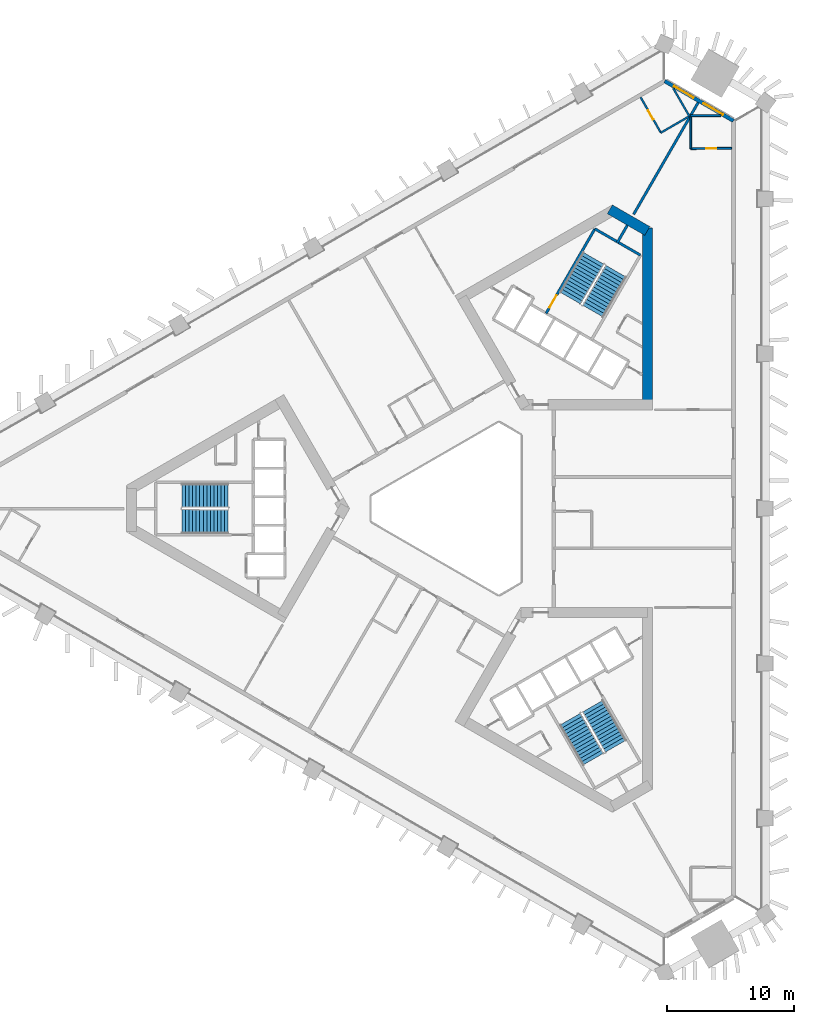
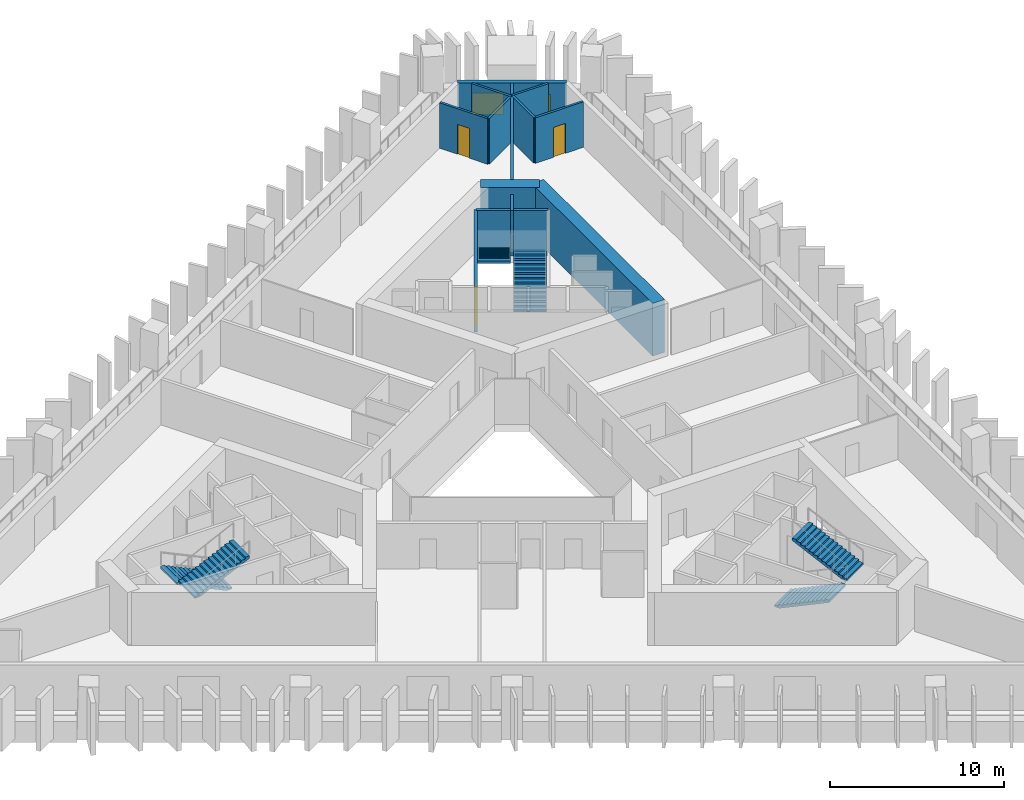
# One storey, part 6 of 10: 13 walls, 6 stair flights, 3 doors, 2 windows, 5 openings, 3 elements without a shape of their own.
"""IFC4 building model written with IfcOpenShell, lengths in metres."""

import ifcopenshell
import ifcopenshell.guid

model = None  # the IFC model being written
_history = None  # IfcOwnerHistory: only IFC2X3 demands one
_inside = {}  # id of a spatial element -> (the spatial element, [elements in it])
_under = {}  # id of a project, library or spatial element -> (it, [spatial elements below it])
_declared = {}  # id of a project -> (the project, [libraries it declares])
_typed = {}  # id of a type object -> (the type object, [elements of that type])
_made_of = {}  # id of a material, layer set ... -> (it, [elements and type objects made of it])


def new_model(schema):
    """Start an empty IFC model of exactly this schema.

    Asked for "IFC4X3", IfcOpenShell would pick the latest addendum, in which some entities
    have other attributes; the version numbers below select the first issue.
    IFC2X3 requires an IfcOwnerHistory on every rooted entity: one is made here for all.
    """
    global model, _history
    if schema == "IFC4X3":
        model = ifcopenshell.file(schema_version=(4, 3, 0, 0))
    else:
        model = ifcopenshell.file(schema=schema)
    _inside.clear()
    _under.clear()
    _declared.clear()
    _typed.clear()
    _made_of.clear()
    _history = None
    if model.schema == "IFC2X3":
        org = make("IfcOrganization", Name="unknown")
        user = make(
            "IfcPersonAndOrganization",
            ThePerson=make("IfcPerson", FamilyName="unknown"),
            TheOrganization=org,
        )
        app = make(
            "IfcApplication",
            ApplicationDeveloper=org,
            Version="unknown",
            ApplicationFullName="unknown",
            ApplicationIdentifier="unknown",
        )
        _history = make(
            "IfcOwnerHistory",
            OwningUser=user,
            OwningApplication=app,
            ChangeAction="ADDED",
            CreationDate=0,
        )
    return model


def make(cls, **values):
    """One entity of the class cls with the attributes given. An attribute that is None is left unset."""
    return model.create_entity(
        cls, **{name: value for name, value in values.items() if value is not None}
    )


def rooted(cls, **values):
    """An entity with a GlobalId (a new one), such as an element, a storey or a relation."""
    return make(cls, GlobalId=ifcopenshell.guid.new(), OwnerHistory=_history, **values)


def si_unit(unit_type, name, prefix=None):
    """IfcSIUnit, for example si_unit("LENGTHUNIT", "METRE", prefix="MILLI")."""
    return make("IfcSIUnit", UnitType=unit_type, Prefix=prefix, Name=name)


def assignment(units):
    """IfcUnitAssignment: the units of a project."""
    return None if units is None else make("IfcUnitAssignment", Units=units)


def point(xyz):
    """IfcCartesianPoint."""
    return None if xyz is None else make("IfcCartesianPoint", Coordinates=xyz)


def direction(xyz):
    """IfcDirection."""
    return None if xyz is None else make("IfcDirection", DirectionRatios=xyz)


def frame(location, z_axis=None, x_axis=None):
    """IfcAxis2Placement3D, a coordinate frame: its origin and axes. An axis left out is left unset."""
    return make(
        "IfcAxis2Placement3D",
        Location=point(location),
        Axis=direction(z_axis),
        RefDirection=direction(x_axis),
    )


def frame_2d(location, x_axis=None):
    """IfcAxis2Placement2D, a coordinate frame in the plane: its origin and x axis."""
    return make(
        "IfcAxis2Placement2D", Location=point(location), RefDirection=direction(x_axis)
    )


def origin():
    """The frame at (0, 0, 0) with its axes left unset."""
    return frame((0.0, 0.0, 0.0))


def place(relative_to, where):
    """IfcLocalPlacement: puts the frame where relative to a parent placement (None: the world)."""
    return make(
        "IfcLocalPlacement", PlacementRelTo=relative_to, RelativePlacement=where
    )


def context(
    kind, dimensions, precision=None, world=None, true_north=None, identifier=None
):
    """IfcGeometricRepresentationContext, for example the 3D "Model" context."""
    return make(
        "IfcGeometricRepresentationContext",
        ContextIdentifier=identifier,
        ContextType=kind,
        CoordinateSpaceDimension=dimensions,
        Precision=precision,
        WorldCoordinateSystem=world,
        TrueNorth=true_north,
    )


def subcontext(parent, identifier, kind, view, scale=None):
    """IfcGeometricRepresentationSubContext, for example "Body" below "Model"."""
    return make(
        "IfcGeometricRepresentationSubContext",
        ContextIdentifier=identifier,
        ContextType=kind,
        ParentContext=parent,
        TargetScale=scale,
        TargetView=view,
    )


def project(units=None, contexts=None):
    """IfcProject with its units and contexts."""
    return rooted(
        "IfcProject",
        Name="project",
        RepresentationContexts=contexts,
        UnitsInContext=assignment(units),
    )


def spatial(cls, under=None, at=None, **own):
    """A site, building, storey or space (cls), placed at a placement, below another one or the project."""
    s = rooted(cls, ObjectPlacement=at, **own)
    if under is not None:
        _under.setdefault(under.id(), (under, []))[1].append(s)
    return s


def polyline(points):
    """IfcPolyline through the points."""
    return make("IfcPolyline", Points=[point(p) for p in points])


def profile(cls, at=None, kind="AREA", **sizes):
    """A parametric profile (cls). Its sizes go by their IFC names, for example OverallWidth=200.0."""
    return make(cls, ProfileType=kind, Position=at, **sizes)


def rectangle(**sizes):
    """IfcRectangleProfileDef."""
    return profile("IfcRectangleProfileDef", **sizes)


def outline(outer, holes=None, kind="AREA"):
    """IfcArbitraryClosedProfileDef: a profile drawn as a closed curve; with holes, ...WithVoids."""
    if holes is None:
        return make("IfcArbitraryClosedProfileDef", ProfileType=kind, OuterCurve=outer)
    return make(
        "IfcArbitraryProfileDefWithVoids",
        ProfileType=kind,
        OuterCurve=outer,
        InnerCurves=holes,
    )


def extrude(swept, where, along, depth):
    """IfcExtrudedAreaSolid: the profile swept, set in the frame where, extruded along a direction by depth."""
    return make(
        "IfcExtrudedAreaSolid",
        SweptArea=swept,
        Position=where,
        ExtrudedDirection=direction(along),
        Depth=depth,
    )


def shape(context_of_items, identifier, shape_type, items):
    """IfcShapeRepresentation: the items that make up one representation, for example the "Body"."""
    return make(
        "IfcShapeRepresentation",
        ContextOfItems=context_of_items,
        RepresentationIdentifier=identifier,
        RepresentationType=shape_type,
        Items=items,
    )


def material(Name=None, Category=None):
    """IfcMaterial."""
    return make("IfcMaterial", Name=Name, Category=Category)


def layer(
    of_material, thickness, ventilated=None, Name=None, Category=None, Priority=None
):
    """IfcMaterialLayer: one layer of a wall or slab, of a material (None: an air gap)."""
    return make(
        "IfcMaterialLayer",
        Material=of_material,
        LayerThickness=thickness,
        IsVentilated=ventilated,
        Name=Name,
        Category=Category,
        Priority=Priority,
    )


def layer_set(layers, Name=None):
    """IfcMaterialLayerSet."""
    return make("IfcMaterialLayerSet", MaterialLayers=layers, LayerSetName=Name)


def made_of(thing, what):
    """Note that an element or type object is made of a material, layer set ...; save() writes the relation."""
    if what is not None:
        _made_of.setdefault(what.id(), (what, []))[1].append(thing)
    return thing


def type_object(cls, material=None, **own):
    """A type object (cls), such as IfcWallType, which elements share."""
    return made_of(rooted(cls, **own), material)


def element(
    cls,
    number,
    at=None,
    inside=None,
    cuts=None,
    type_object=None,
    material=None,
    context=None,
    identifier="Body",
    shape_type=None,
    held_by="IfcProductDefinitionShape",
    body=None,
    shapes=None,
    **own,
):
    """One element of the class cls, such as IfcWall. Its Tag is "e" and its number.

    at: its placement. inside: the storey or other place that contains it. cuts: it is an
    opening in that element (IfcRelVoidsElement). A single representation is given by context,
    identifier, shape_type and body (its items); several are given by shapes. held_by: the class
    of the entity that holds the representations. save() writes the other relations.
    """
    e = rooted(cls, Tag="e%d" % number, ObjectPlacement=at, **own)
    if body is not None:
        shapes = [shape(context, identifier, shape_type, body)]
    if shapes is not None:
        e.Representation = make(held_by, Representations=shapes)
    if inside is not None:
        _inside.setdefault(inside.id(), (inside, []))[1].append(e)
    if cuts is not None:
        rooted(
            "IfcRelVoidsElement", RelatingBuildingElement=cuts, RelatedOpeningElement=e
        )
    if type_object is not None:
        _typed.setdefault(type_object.id(), (type_object, []))[1].append(e)
    return made_of(e, material)


def fill(opening, filler):
    """IfcRelFillsElement: the door or window that sits in an opening."""
    return rooted(
        "IfcRelFillsElement",
        RelatingOpeningElement=opening,
        RelatedBuildingElement=filler,
    )


def aggregate(whole, parts):
    """IfcRelAggregates: a whole, such as a stair, and the parts it consists of."""
    return rooted("IfcRelAggregates", RelatingObject=whole, RelatedObjects=parts)


def save(model, path):
    """Write the relations noted so far, then the file.

    IfcRelAggregates (storeys below a building ...), IfcRelContainedInSpatialStructure (elements
    in a storey), IfcRelDefinesByType, IfcRelAssociatesMaterial and IfcRelDeclares: one each for
    every whole, place, type object, material and project.
    """
    for whole, parts in _under.values():
        aggregate(whole, parts)
    for where, things in _inside.values():
        rooted(
            "IfcRelContainedInSpatialStructure",
            RelatedElements=things,
            RelatingStructure=where,
        )
    for kind, things in _typed.values():
        rooted("IfcRelDefinesByType", RelatedObjects=things, RelatingType=kind)
    for what, things in _made_of.values():
        rooted("IfcRelAssociatesMaterial", RelatedObjects=things, RelatingMaterial=what)
    for by, libraries in _declared.values():
        rooted("IfcRelDeclares", RelatingContext=by, RelatedDefinitions=libraries)
    model.write(path)


model = new_model("IFC4")

# Units and contexts
model_context = context("Model", 3, precision=1e-05, world=origin(), true_north=direction((0.0, 1.0)))
body_context = subcontext(model_context, "Body", "Model", "MODEL_VIEW")
ifc_project = project(units=[si_unit("LENGTHUNIT", "METRE"), si_unit("AREAUNIT", "SQUARE_METRE"), si_unit("VOLUMEUNIT", "CUBIC_METRE"), si_unit("PLANEANGLEUNIT", "RADIAN"), si_unit("MASSUNIT", "GRAM", prefix="KILO")], contexts=[model_context])

# Site, building, storey
site_placement = place(None, origin())
site = spatial("IfcSite", under=ifc_project, at=site_placement, CompositionType="ELEMENT")
building_placement = place(site_placement, origin())
building = spatial("IfcBuilding", under=site, at=building_placement, Name="Jabali Bay Hotel Tower and Convention Centre", CompositionType="ELEMENT")
storey_placement = place(building_placement, frame((0.0, 0.0, 41.10009765625)))
storey = spatial("IfcBuildingStorey", under=building, at=storey_placement, Name="L08", CompositionType="ELEMENT", Elevation=41.10009765625)

# Wall
ifc_material_1 = material(Name="Concrete C40", Category="concrete")
ifc_layer_1 = layer(ifc_material_1, 0.199951171875)
ifc_layer_set_1 = layer_set([ifc_layer_1], Name="Concrete C40")
wall_type_1 = type_object("IfcWallType", Name="Core partition wall 200", PredefinedType="PARTITIONING", material=ifc_layer_set_1)
wall_1_placement = place(storey_placement, frame((87.090087890625, 100.9404296875, 0.0), z_axis=(0.0, 0.0, 1.0), x_axis=(0.499956811548, 0.866050337213, 0.0)))
element("IfcWall", 1, at=wall_1_placement, inside=storey, type_object=wall_type_1, Name="Core wall 1.5 L08", PredefinedType="PARTITIONING", context=body_context, shape_type="SweptSolid", body=[
    extrude(rectangle(XDim=1.623291015625, YDim=0.199951171875, at=frame_2d((0.8115234375, 0.0))), origin(), (0.0, 0.0, 1.0), 3.199951171875),
])

# Wall, opening, door
ifc_layer_2 = layer(ifc_material_1, 0.199951171875)
ifc_layer_set_2 = layer_set([ifc_layer_2], Name="Concrete C40")
wall_type_2 = type_object("IfcWallType", Name="Core stair wall 200", PredefinedType="SOLIDWALL", material=ifc_layer_set_2)
wall_2_placement = place(storey_placement, frame((81.492919921875, 95.396240234375, 0.0), z_axis=(0.0, 0.0, 1.0), x_axis=(0.500006057782, 0.866021906294, 0.0)))
wall_2 = element("IfcWall", 2, at=wall_2_placement, inside=storey, type_object=wall_type_2, Name="Core wall 1.7 L08", PredefinedType="SOLIDWALL", context=body_context, shape_type="SweptSolid", body=[
    extrude(rectangle(XDim=7.7001953125, YDim=0.199951171875, at=frame_2d((3.85009765625, 0.0))), origin(), (0.0, 0.0, 1.0), 3.199951171875),
])
opening_1_placement = place(wall_2_placement, frame((0.550048828125, 0.0, 0.0)))
opening_1 = element("IfcOpeningElement", 3, at=opening_1_placement, cuts=wall_2, Name="Opening D262", PredefinedType="OPENING", context=body_context, shape_type="SweptSolid", body=[
    extrude(rectangle(XDim=1.10009765625, YDim=2.10009765625, at=frame_2d((0.550048828125, 1.050048828125))), frame((0.0, 0.1103515625, 0.0), z_axis=(0.0, -1.0, 0.0), x_axis=(1.0, 0.0, 0.0)), (0.0, 0.0, 1.0), 0.220947265625),
])
ifc_material_2 = material(Name="Fire-rated steel door", Category="steel")
door_type_1 = type_object("IfcDoorType", Name="Stair fire door 1100 x 2100", OperationType="NOTDEFINED", PredefinedType="NOTDEFINED", material=ifc_material_2)
door_1_placement = place(opening_1_placement, origin())
door_1 = element("IfcDoor", 4, at=door_1_placement, inside=storey, type_object=door_type_1, Name="Stair fire door D262", OperationType="SINGLE_SWING_RIGHT", OverallHeight=2.10009765625, OverallWidth=1.10009765625, PredefinedType="NOTDEFINED", context=body_context, shape_type="SweptSolid", body=[
    extrude(rectangle(XDim=1.10009765625, YDim=2.10009765625, at=frame_2d((0.550048828125, 1.050048828125))), frame((0.0, 0.02490234375, 0.0), z_axis=(0.0, -1.0, 0.0), x_axis=(1.0, 0.0, 0.0)), (0.0, 0.0, 1.0), 0.050048828125),
])
fill(opening_1, door_1)

# Walls
wall_3_placement = place(storey_placement, frame((88.93701171875, 99.989501953125, 0.0), z_axis=(0.0, 0.0, 1.0), x_axis=(-0.866004344652, 0.500036473714, 0.0)))
element("IfcWall", 5, at=wall_3_placement, inside=storey, type_object=wall_type_2, Name="Core wall 1.17 L08", PredefinedType="SOLIDWALL", context=body_context, shape_type="SweptSolid", body=[
    extrude(rectangle(XDim=4.150146484375, YDim=0.199951171875, at=frame_2d((2.0751953125, 0.0))), origin(), (0.0, 0.0, 1.0), 3.199951171875),
])
ifc_material_3 = material(Name="Concrete C60", Category="concrete")
ifc_layer_3 = layer(ifc_material_3, 0.800048828125)
ifc_layer_set_3 = layer_set([ifc_layer_3], Name="Concrete C60")
wall_type_3 = type_object("IfcWallType", Name="Core wall 800", PredefinedType="SHEAR", material=ifc_layer_set_3)
wall_4_placement = place(storey_placement, frame((89.47998046875, 88.1943359375, 0.0), z_axis=(0.0, 0.0, 1.0), x_axis=(0.0, 1.0, 0.0)))
element("IfcWall", 6, at=wall_4_placement, inside=storey, type_object=wall_type_3, Name="Core wall 2.2 L08", PredefinedType="SHEAR", context=body_context, shape_type="SweptSolid", body=[
    extrude(rectangle(XDim=13.933349609375, YDim=0.800048828125, at=frame_2d((6.966796875, 0.0))), origin(), (0.0, 0.0, 1.0), 3.699951171875),
])
wall_5_placement = place(storey_placement, frame((89.47998046875, 101.896728515625, 0.0), z_axis=(0.0, 0.0, 1.0), x_axis=(-0.866034355626, 0.499984494636, 0.0)))
element("IfcWall", 7, at=wall_5_placement, inside=storey, type_object=wall_type_3, Name="Core wall 2.3 L08", PredefinedType="SHEAR", context=body_context, shape_type="SweptSolid", body=[
    extrude(rectangle(XDim=3.4140625, YDim=0.800048828125, at=frame_2d((1.70703125, 0.0))), origin(), (0.0, 0.0, 1.0), 3.699951171875),
])

# Wall, openings, windows
ifc_layer_4 = layer(ifc_material_1, 0.300048828125)
ifc_layer_set_4 = layer_set([ifc_layer_4], Name="Concrete C40")
wall_type_4 = type_object("IfcWallType", Name="External wall 300", PredefinedType="SOLIDWALL", material=ifc_layer_set_4)
wall_6_placement = place(storey_placement, frame((90.85400390625, 113.720458984375, 0.0), z_axis=(0.0, 0.0, 1.0), x_axis=(0.866021938441, -0.500006002103, 0.0)))
wall_6 = element("IfcWall", 8, at=wall_6_placement, inside=storey, type_object=wall_type_4, Name="External wall north-east chamfer L08", PredefinedType="SOLIDWALL", context=body_context, shape_type="SweptSolid", body=[
    extrude(rectangle(XDim=6.2607421875, YDim=0.300048828125, at=frame_2d((3.13037109375, 0.0))), origin(), (0.0, 0.0, 1.0), 3.199951171875),
])
opening_2_placement = place(wall_6_placement, frame((3.52197265625, 0.0, 0.89990234375)))
opening_2 = element("IfcOpeningElement", 9, at=opening_2_placement, cuts=wall_6, Name="Opening W1", PredefinedType="OPENING", context=body_context, shape_type="SweptSolid", body=[
    extrude(rectangle(XDim=1.800048828125, YDim=1.5, at=frame_2d((0.89990234375, 0.75))), frame((0.0, 0.16064453125, 0.0), z_axis=(0.0, -1.0, 0.0), x_axis=(1.0, 0.0, 0.0)), (0.0, 0.0, 1.0), 0.321044921875),
])
opening_3_placement = place(wall_6_placement, frame((0.829833984375, 0.0, 0.89990234375)))
opening_3 = element("IfcOpeningElement", 10, at=opening_3_placement, cuts=wall_6, Name="Opening W1", PredefinedType="OPENING", context=body_context, shape_type="SweptSolid", body=[
    extrude(rectangle(XDim=1.800048828125, YDim=1.5, at=frame_2d((0.89990234375, 0.75))), frame((0.0, 0.16064453125, 0.0), z_axis=(0.0, -1.0, 0.0), x_axis=(1.0, 0.0, 0.0)), (0.0, 0.0, 1.0), 0.321044921875),
])
ifc_material_4 = material(Name="Glass", Category="glass")
window_type = type_object("IfcWindowType", Name="Window 1800 x 1500", PartitioningType="SINGLE_PANEL", PredefinedType="WINDOW", material=ifc_material_4)
window_1_placement = place(opening_2_placement, origin())
window_1 = element("IfcWindow", 11, at=window_1_placement, inside=storey, type_object=window_type, Name="Window 803", OverallHeight=1.5, OverallWidth=1.800048828125, PartitioningType="SINGLE_PANEL", PredefinedType="WINDOW", context=body_context, shape_type="SweptSolid", body=[
    extrude(rectangle(XDim=1.800048828125, YDim=1.5, at=frame_2d((0.89990234375, 0.75))), frame((0.0, 0.030029296875, 0.0), z_axis=(0.0, -1.0, 0.0), x_axis=(1.0, 0.0, 0.0)), (0.0, 0.0, 1.0), 0.06005859375),
])
fill(opening_2, window_1)
window_2_placement = place(opening_3_placement, origin())
window_2 = element("IfcWindow", 12, at=window_2_placement, inside=storey, type_object=window_type, Name="Window 804", OverallHeight=1.5, OverallWidth=1.800048828125, PartitioningType="SINGLE_PANEL", PredefinedType="WINDOW", context=body_context, shape_type="SweptSolid", body=[
    extrude(rectangle(XDim=1.800048828125, YDim=1.5, at=frame_2d((0.89990234375, 0.75))), frame((0.0, 0.030029296875, 0.0), z_axis=(0.0, -1.0, 0.0), x_axis=(1.0, 0.0, 0.0)), (0.0, 0.0, 1.0), 0.06005859375),
])
fill(opening_3, window_2)

# Wall, opening, door
ifc_material_5 = material(Name="Plasterboard on steel stud", Category="steel")
ifc_layer_5 = layer(ifc_material_5, 0.14990234375)
ifc_layer_set_5 = layer_set([ifc_layer_5], Name="Plasterboard on steel stud")
wall_type_5 = type_object("IfcWallType", Name="Partition 150 wet", PredefinedType="PARTITIONING", material=ifc_layer_set_5)
wall_7_placement = place(storey_placement, frame((96.126953125, 108.413330078125, 0.0), z_axis=(0.0, 0.0, 1.0), x_axis=(-0.999982570839, -0.005904067862, 0.0)))
wall_7 = element("IfcWall", 13, at=wall_7_placement, inside=storey, type_object=wall_type_5, Name="Partition P03 L08 012", PredefinedType="PARTITIONING", context=body_context, shape_type="SweptSolid", body=[
    extrude(rectangle(XDim=3.225341796875, YDim=0.14990234375, at=frame_2d((1.61279296875, 0.0))), origin(), (0.0, 0.0, 1.0), 3.199951171875),
])
opening_4_placement = place(wall_7_placement, frame((1.212890625, 0.0, 0.0)))
opening_4 = element("IfcOpeningElement", 14, at=opening_4_placement, cuts=wall_7, Name="Opening 0808", PredefinedType="OPENING", context=body_context, shape_type="SweptSolid", body=[
    extrude(rectangle(XDim=0.800048828125, YDim=2.10009765625, at=frame_2d((0.39990234375, 1.050048828125))), frame((0.0, 0.08544921875, 0.0), z_axis=(0.0, -1.0, 0.0), x_axis=(1.0, 0.0, 0.0)), (0.0, 0.0, 1.0), 0.1708984375),
])
ifc_material_6 = material(Name="Timber", Category="wood")
door_type_2 = type_object("IfcDoorType", Name="En-suite door 800 x 2100", OperationType="NOTDEFINED", PredefinedType="NOTDEFINED", material=ifc_material_6)
door_2_placement = place(opening_4_placement, origin())
door_2 = element("IfcDoor", 15, at=door_2_placement, inside=storey, type_object=door_type_2, Name="Door 0808", OperationType="SINGLE_SWING_LEFT", OverallHeight=2.10009765625, OverallWidth=0.800048828125, PredefinedType="NOTDEFINED", context=body_context, shape_type="SweptSolid", body=[
    extrude(rectangle(XDim=0.800048828125, YDim=2.10009765625, at=frame_2d((0.39990234375, 1.050048828125))), frame((0.0, 0.02490234375, 0.0), z_axis=(0.0, -1.0, 0.0), x_axis=(1.0, 0.0, 0.0)), (0.0, 0.0, 1.0), 0.050048828125),
])
fill(opening_4, door_2)

# Walls
wall_8_placement = place(storey_placement, frame((92.901611328125, 108.394287109375, 0.0), z_axis=(0.0, 0.0, 1.0), x_axis=(0.0, 1.0, 0.0)))
element("IfcWall", 16, at=wall_8_placement, inside=storey, type_object=wall_type_5, Name="Partition P03 L08 013", PredefinedType="PARTITIONING", context=body_context, shape_type="SweptSolid", body=[
    extrude(rectangle(XDim=2.599853515625, YDim=0.14990234375, at=frame_2d((1.2998046875, 0.0))), origin(), (0.0, 0.0, 1.0), 3.199951171875),
])
wall_9_placement = place(storey_placement, frame((92.901611328125, 110.994140625, 0.0), z_axis=(0.0, 0.0, 1.0), x_axis=(1.0, 0.0, 0.0)))
element("IfcWall", 17, at=wall_9_placement, inside=storey, type_object=wall_type_5, Name="Partition P03 L08 014", PredefinedType="PARTITIONING", context=body_context, shape_type="SweptSolid", body=[
    extrude(rectangle(XDim=2.37646484375, YDim=0.14990234375, at=frame_2d((1.188232421875, 0.0))), origin(), (0.0, 0.0, 1.0), 3.199951171875),
])
wall_10_placement = place(storey_placement, frame((91.51416015625, 113.16748046875, 0.0), z_axis=(0.0, 0.0, 1.0), x_axis=(0.499936653632, -0.866061973738, 0.0)))
element("IfcWall", 18, at=wall_10_placement, inside=storey, type_object=wall_type_5, Name="Partition P03 L08 018", PredefinedType="PARTITIONING", context=body_context, shape_type="SweptSolid", body=[
    extrude(rectangle(XDim=2.565185546875, YDim=0.14990234375, at=frame_2d((1.28271484375, 0.0))), origin(), (0.0, 0.0, 1.0), 3.199951171875),
])
wall_11_placement = place(storey_placement, frame((92.796630859375, 110.94580078125, 0.0), z_axis=(0.0, 0.0, 1.0), x_axis=(-0.866021400173, -0.500006934395, 0.0)))
element("IfcWall", 19, at=wall_11_placement, inside=storey, type_object=wall_type_5, Name="Partition P03 L08 019", PredefinedType="PARTITIONING", context=body_context, shape_type="SweptSolid", body=[
    extrude(rectangle(XDim=2.60009765625, YDim=0.14990234375, at=frame_2d((1.300048828125, 0.0))), origin(), (0.0, 0.0, 1.0), 3.199951171875),
])

# Wall, opening, door
wall_12_placement = place(storey_placement, frame((90.544921875, 109.645751953125, 0.0), z_axis=(0.0, 0.0, 1.0), x_axis=(-0.494883074799, 0.868959574593, 0.0)))
wall_12 = element("IfcWall", 20, at=wall_12_placement, inside=storey, type_object=wall_type_5, Name="Partition P03 L08 020", PredefinedType="PARTITIONING", context=body_context, shape_type="SweptSolid", body=[
    extrude(rectangle(XDim=3.225341796875, YDim=0.14990234375, at=frame_2d((1.61279296875, 0.0))), origin(), (0.0, 0.0, 1.0), 3.199951171875),
])
opening_5_placement = place(wall_12_placement, frame((1.212890625, 0.0, 0.0)))
opening_5 = element("IfcOpeningElement", 21, at=opening_5_placement, cuts=wall_12, Name="Opening 0811", PredefinedType="OPENING", context=body_context, shape_type="SweptSolid", body=[
    extrude(rectangle(XDim=0.800048828125, YDim=2.10009765625, at=frame_2d((0.39990234375, 1.050048828125))), frame((0.0, 0.08544921875, 0.0), z_axis=(0.0, -1.0, 0.0), x_axis=(1.0, 0.0, 0.0)), (0.0, 0.0, 1.0), 0.1708984375),
])
door_3_placement = place(opening_5_placement, origin())
door_3 = element("IfcDoor", 22, at=door_3_placement, inside=storey, type_object=door_type_2, Name="Door 0811", OperationType="SINGLE_SWING_LEFT", OverallHeight=2.10009765625, OverallWidth=0.800048828125, PredefinedType="NOTDEFINED", context=body_context, shape_type="SweptSolid", body=[
    extrude(rectangle(XDim=0.800048828125, YDim=2.10009765625, at=frame_2d((0.39990234375, 1.050048828125))), frame((0.0, 0.02490234375, 0.0), z_axis=(0.0, -1.0, 0.0), x_axis=(1.0, 0.0, 0.0)), (0.0, 0.0, 1.0), 0.050048828125),
])
fill(opening_5, door_3)

# Wall
ifc_layer_6 = layer(ifc_material_5, 0.199951171875)
ifc_layer_set_6 = layer_set([ifc_layer_6], Name="Plasterboard on steel stud")
wall_type_6 = type_object("IfcWallType", Name="Partition 200 party", PredefinedType="PARTITIONING", material=ifc_layer_set_6)
wall_13_placement = place(storey_placement, frame((93.490478515625, 112.0263671875, 0.0), z_axis=(0.0, 0.0, 1.0), x_axis=(-0.499993053251, -0.866029414455, 0.0)))
element("IfcWall", 23, at=wall_13_placement, inside=storey, type_object=wall_type_6, Name="Partition P01 L08 015", PredefinedType="PARTITIONING", context=body_context, shape_type="SweptSolid", body=[
    extrude(rectangle(XDim=10.178955078125, YDim=0.199951171875, at=frame_2d((5.08935546875, 0.0))), origin(), (0.0, 0.0, 1.0), 3.199951171875),
])

# Stair, stair flights
stair_type = type_object("IfcStairType", Name="Exit stair 1900", PredefinedType="HALF_TURN_STAIR", material=ifc_material_1)
stair_1_placement = place(storey_placement, origin())
stair_1 = element("IfcStair", 24, at=stair_1_placement, inside=storey, type_object=stair_type, Name="L08 Exit Stair 1", PredefinedType="HALF_TURN_STAIR")
stair_flight_type = type_object("IfcStairFlightType", Name="Stair flight concrete 150", PredefinedType="STRAIGHT", material=ifc_material_1)
stair_flight_1_placement = place(storey_placement, frame((56.419921875, 81.02490234375, 0.0), z_axis=(0.0, 0.0, 1.0), x_axis=(-1.0, 0.0, 0.0)))
stair_flight_1 = element("IfcStairFlight", 25, at=stair_flight_1_placement, type_object=stair_flight_type, Name="ST1 flight 1", NumberOfRisers=14, NumberOfTreads=13, PredefinedType="STRAIGHT", RiserHeight=0.132142857, TreadLength=0.28, context=body_context, shape_type="SweptSolid", body=[
    extrude(outline(polyline([(0.0, 0.0), (0.0, 0.132080078125), (0.280029296875, 0.132080078125), (0.280029296875, 0.264404296875), (0.56005859375, 0.264404296875), (0.56005859375, 0.396484375), (0.840087890625, 0.396484375), (0.840087890625, 0.528564453125), (1.1201171875, 0.528564453125), (1.1201171875, 0.66064453125), (1.39990234375, 0.66064453125), (1.39990234375, 0.79296875), (1.679931640625, 0.79296875), (1.679931640625, 0.925048828125), (1.9599609375, 0.925048828125), (1.9599609375, 1.05712890625), (2.239990234375, 1.05712890625), (2.239990234375, 1.189208984375), (2.52001953125, 1.189208984375), (2.52001953125, 1.321533203125), (2.800048828125, 1.321533203125), (2.800048828125, 1.45361328125), (3.080078125, 1.45361328125), (3.080078125, 1.585693359375), (3.360107421875, 1.585693359375), (3.360107421875, 1.7177734375), (3.639892578125, 1.7177734375), (3.639892578125, 1.85009765625), (3.639892578125, 1.552001953125), (0.351318359375, 0.0), (0.0, 0.0)])), frame((0.0, 0.949951171875, 0.0), z_axis=(0.0, -1.0, 0.0), x_axis=(1.0, 0.0, 0.0)), (0.0, 0.0, 1.0), 1.89990234375),
])
stair_flight_2_placement = place(storey_placement, frame((52.780029296875, 78.97509765625, 1.849853515625), z_axis=(0.0, 0.0, 1.0), x_axis=(1.0, 0.0, 0.0)))
stair_flight_2 = element("IfcStairFlight", 26, at=stair_flight_2_placement, type_object=stair_flight_type, Name="ST1 flight 2", NumberOfRisers=14, NumberOfTreads=13, PredefinedType="STRAIGHT", RiserHeight=0.132142857, TreadLength=0.28, context=body_context, shape_type="SweptSolid", body=[
    extrude(outline(polyline([(0.0, 0.0), (0.0, 0.132080078125), (0.280029296875, 0.132080078125), (0.280029296875, 0.264404296875), (0.56005859375, 0.264404296875), (0.56005859375, 0.396484375), (0.840087890625, 0.396484375), (0.840087890625, 0.528564453125), (1.1201171875, 0.528564453125), (1.1201171875, 0.66064453125), (1.39990234375, 0.66064453125), (1.39990234375, 0.79296875), (1.679931640625, 0.79296875), (1.679931640625, 0.925048828125), (1.9599609375, 0.925048828125), (1.9599609375, 1.05712890625), (2.239990234375, 1.05712890625), (2.239990234375, 1.189208984375), (2.52001953125, 1.189208984375), (2.52001953125, 1.321533203125), (2.800048828125, 1.321533203125), (2.800048828125, 1.45361328125), (3.080078125, 1.45361328125), (3.080078125, 1.585693359375), (3.360107421875, 1.585693359375), (3.360107421875, 1.7177734375), (3.639892578125, 1.7177734375), (3.639892578125, 1.85009765625), (3.639892578125, 1.552001953125), (0.351318359375, 0.0), (0.0, 0.0)])), frame((0.0, 0.949951171875, 0.0), z_axis=(0.0, -1.0, 0.0), x_axis=(1.0, 0.0, 0.0)), (0.0, 0.0, 1.0), 1.89990234375),
])
aggregate(stair_1, [stair_flight_1, stair_flight_2])

stair_2_placement = place(storey_placement, origin())
stair_2 = element("IfcStair", 27, at=stair_2_placement, inside=storey, type_object=stair_type, Name="L08 Exit Stair 2", PredefinedType="HALF_TURN_STAIR")
stair_flight_3_placement = place(storey_placement, frame((85.177734375, 95.578369140625, 0.0), z_axis=(0.0, 0.0, 1.0), x_axis=(0.5, 0.866025403784, 0.0)))
stair_flight_3 = element("IfcStairFlight", 28, at=stair_flight_3_placement, type_object=stair_flight_type, Name="ST2 flight 1", NumberOfRisers=14, NumberOfTreads=13, PredefinedType="STRAIGHT", RiserHeight=0.132142857, TreadLength=0.28, context=body_context, shape_type="SweptSolid", body=[
    extrude(outline(polyline([(0.0, 0.0), (0.0, 0.132080078125), (0.280029296875, 0.132080078125), (0.280029296875, 0.264404296875), (0.56005859375, 0.264404296875), (0.56005859375, 0.396484375), (0.840087890625, 0.396484375), (0.840087890625, 0.528564453125), (1.1201171875, 0.528564453125), (1.1201171875, 0.66064453125), (1.39990234375, 0.66064453125), (1.39990234375, 0.79296875), (1.679931640625, 0.79296875), (1.679931640625, 0.925048828125), (1.9599609375, 0.925048828125), (1.9599609375, 1.05712890625), (2.239990234375, 1.05712890625), (2.239990234375, 1.189208984375), (2.52001953125, 1.189208984375), (2.52001953125, 1.321533203125), (2.800048828125, 1.321533203125), (2.800048828125, 1.45361328125), (3.080078125, 1.45361328125), (3.080078125, 1.585693359375), (3.360107421875, 1.585693359375), (3.360107421875, 1.7177734375), (3.639892578125, 1.7177734375), (3.639892578125, 1.85009765625), (3.639892578125, 1.552001953125), (0.351318359375, 0.0), (0.0, 0.0)])), frame((0.0, 0.949951171875, 0.0), z_axis=(0.0, -1.0, 0.0), x_axis=(1.0, 0.0, 0.0)), (0.0, 0.0, 1.0), 1.89990234375),
])
stair_flight_4_placement = place(storey_placement, frame((85.222412109375, 99.755615234375, 1.849853515625), z_axis=(0.0, 0.0, 1.0), x_axis=(-0.5, -0.866025403784, 0.0)))
stair_flight_4 = element("IfcStairFlight", 29, at=stair_flight_4_placement, type_object=stair_flight_type, Name="ST2 flight 2", NumberOfRisers=14, NumberOfTreads=13, PredefinedType="STRAIGHT", RiserHeight=0.132142857, TreadLength=0.28, context=body_context, shape_type="SweptSolid", body=[
    extrude(outline(polyline([(0.0, 0.0), (0.0, 0.132080078125), (0.280029296875, 0.132080078125), (0.280029296875, 0.264404296875), (0.56005859375, 0.264404296875), (0.56005859375, 0.396484375), (0.840087890625, 0.396484375), (0.840087890625, 0.528564453125), (1.1201171875, 0.528564453125), (1.1201171875, 0.66064453125), (1.39990234375, 0.66064453125), (1.39990234375, 0.79296875), (1.679931640625, 0.79296875), (1.679931640625, 0.925048828125), (1.9599609375, 0.925048828125), (1.9599609375, 1.05712890625), (2.239990234375, 1.05712890625), (2.239990234375, 1.189208984375), (2.52001953125, 1.189208984375), (2.52001953125, 1.321533203125), (2.800048828125, 1.321533203125), (2.800048828125, 1.45361328125), (3.080078125, 1.45361328125), (3.080078125, 1.585693359375), (3.360107421875, 1.585693359375), (3.360107421875, 1.7177734375), (3.639892578125, 1.7177734375), (3.639892578125, 1.85009765625), (3.639892578125, 1.552001953125), (0.351318359375, 0.0), (0.0, 0.0)])), frame((0.0, 0.949951171875, 0.0), z_axis=(0.0, -1.0, 0.0), x_axis=(1.0, 0.0, 0.0)), (0.0, 0.0, 1.0), 1.89990234375),
])
aggregate(stair_2, [stair_flight_3, stair_flight_4])

stair_3_placement = place(storey_placement, origin())
stair_3 = element("IfcStair", 30, at=stair_3_placement, inside=storey, type_object=stair_type, Name="L08 Exit Stair 3", PredefinedType="HALF_TURN_STAIR")
stair_flight_5_placement = place(storey_placement, frame((83.40234375, 63.396728515625, 0.0), z_axis=(0.0, 0.0, 1.0), x_axis=(0.5, -0.866025403784, 0.0)))
stair_flight_5 = element("IfcStairFlight", 31, at=stair_flight_5_placement, type_object=stair_flight_type, Name="ST3 flight 1", NumberOfRisers=14, NumberOfTreads=13, PredefinedType="STRAIGHT", RiserHeight=0.132142857, TreadLength=0.28, context=body_context, shape_type="SweptSolid", body=[
    extrude(outline(polyline([(0.0, 0.0), (0.0, 0.132080078125), (0.280029296875, 0.132080078125), (0.280029296875, 0.264404296875), (0.56005859375, 0.264404296875), (0.56005859375, 0.396484375), (0.840087890625, 0.396484375), (0.840087890625, 0.528564453125), (1.1201171875, 0.528564453125), (1.1201171875, 0.66064453125), (1.39990234375, 0.66064453125), (1.39990234375, 0.79296875), (1.679931640625, 0.79296875), (1.679931640625, 0.925048828125), (1.9599609375, 0.925048828125), (1.9599609375, 1.05712890625), (2.239990234375, 1.05712890625), (2.239990234375, 1.189208984375), (2.52001953125, 1.189208984375), (2.52001953125, 1.321533203125), (2.800048828125, 1.321533203125), (2.800048828125, 1.45361328125), (3.080078125, 1.45361328125), (3.080078125, 1.585693359375), (3.360107421875, 1.585693359375), (3.360107421875, 1.7177734375), (3.639892578125, 1.7177734375), (3.639892578125, 1.85009765625), (3.639892578125, 1.552001953125), (0.351318359375, 0.0), (0.0, 0.0)])), frame((0.0, 0.949951171875, 0.0), z_axis=(0.0, -1.0, 0.0), x_axis=(1.0, 0.0, 0.0)), (0.0, 0.0, 1.0), 1.89990234375),
])
stair_flight_6_placement = place(storey_placement, frame((86.99755859375, 61.26953125, 1.849853515625), z_axis=(0.0, 0.0, 1.0), x_axis=(-0.5, 0.866025403784, 0.0)))
stair_flight_6 = element("IfcStairFlight", 32, at=stair_flight_6_placement, type_object=stair_flight_type, Name="ST3 flight 2", NumberOfRisers=14, NumberOfTreads=13, PredefinedType="STRAIGHT", RiserHeight=0.132142857, TreadLength=0.28, context=body_context, shape_type="SweptSolid", body=[
    extrude(outline(polyline([(0.0, 0.0), (0.0, 0.132080078125), (0.280029296875, 0.132080078125), (0.280029296875, 0.264404296875), (0.56005859375, 0.264404296875), (0.56005859375, 0.396484375), (0.840087890625, 0.396484375), (0.840087890625, 0.528564453125), (1.1201171875, 0.528564453125), (1.1201171875, 0.66064453125), (1.39990234375, 0.66064453125), (1.39990234375, 0.79296875), (1.679931640625, 0.79296875), (1.679931640625, 0.925048828125), (1.9599609375, 0.925048828125), (1.9599609375, 1.05712890625), (2.239990234375, 1.05712890625), (2.239990234375, 1.189208984375), (2.52001953125, 1.189208984375), (2.52001953125, 1.321533203125), (2.800048828125, 1.321533203125), (2.800048828125, 1.45361328125), (3.080078125, 1.45361328125), (3.080078125, 1.585693359375), (3.360107421875, 1.585693359375), (3.360107421875, 1.7177734375), (3.639892578125, 1.7177734375), (3.639892578125, 1.85009765625), (3.639892578125, 1.552001953125), (0.351318359375, 0.0), (0.0, 0.0)])), frame((0.0, 0.949951171875, 0.0), z_axis=(0.0, -1.0, 0.0), x_axis=(1.0, 0.0, 0.0)), (0.0, 0.0, 1.0), 1.89990234375),
])
aggregate(stair_3, [stair_flight_5, stair_flight_6])

save(model, "model.ifc")
